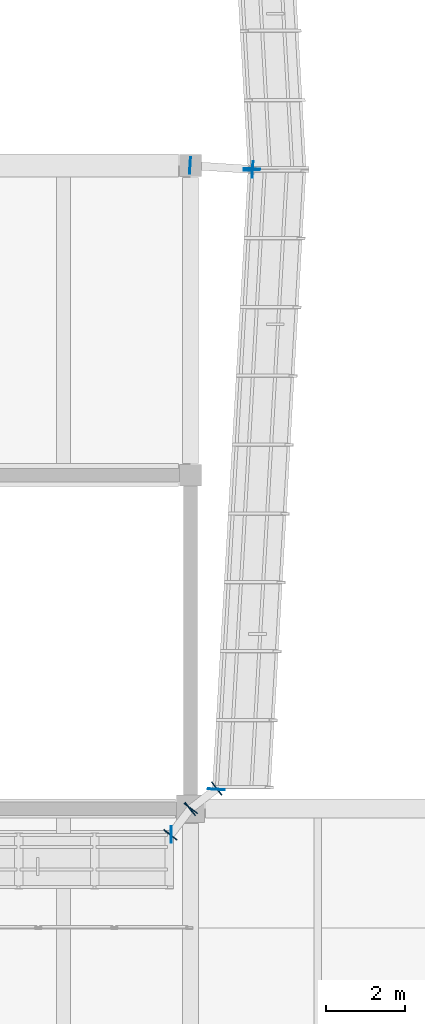
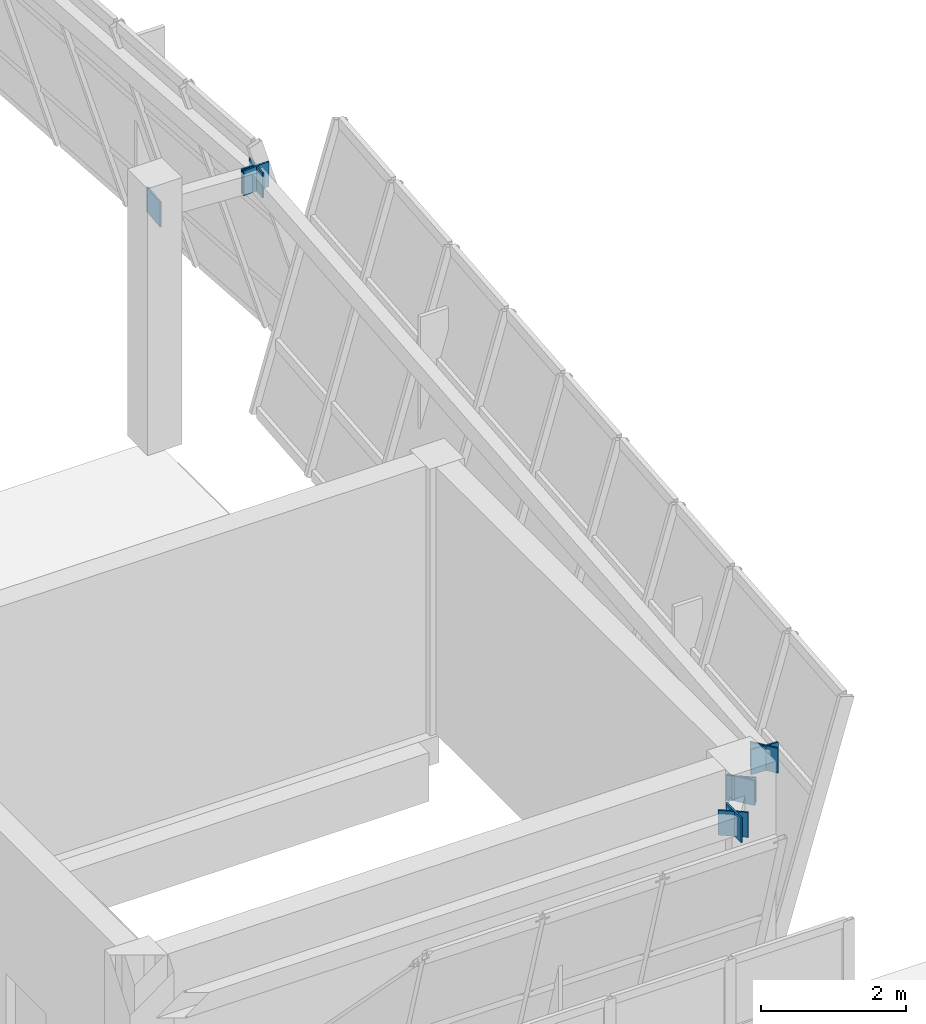
# One storey, part 49 of 67: 10 plates.
"""IFC4 building model written with IfcOpenShell, lengths in metres."""

from ifc_helpers import new_model, si_unit, direction, frame, origin, origin_2d, place, context, subcontext, project, spatial, rectangle, extrude, material, layer, layer_set, type_object, element, save


model = new_model("IFC4")

# Units and contexts
model_context = context("Model", 3, precision=1e-05, world=origin(), true_north=direction((0.0, 1.0)))
body_context = subcontext(model_context, "Body", "Model", "MODEL_VIEW")
ifc_project = project(units=[si_unit("LENGTHUNIT", "METRE"), si_unit("AREAUNIT", "SQUARE_METRE"), si_unit("VOLUMEUNIT", "CUBIC_METRE"), si_unit("PLANEANGLEUNIT", "RADIAN"), si_unit("MASSUNIT", "GRAM", prefix="KILO")], contexts=[model_context])

# Site, building, storey
site_placement = place(None, origin())
site = spatial("IfcSite", under=ifc_project, at=site_placement, CompositionType="ELEMENT")
building_placement = place(site_placement, origin())
building = spatial("IfcBuilding", under=site, at=building_placement, Name="Pellamere Symphony Hall", CompositionType="ELEMENT")
storey_placement = place(building_placement, frame((0.0, 0.0, 19.5)))
storey = spatial("IfcBuildingStorey", under=building, at=storey_placement, Name="L04", CompositionType="ELEMENT", Elevation=19.5)

# Plates
ifc_material = material(Name="Steel CSA G40.21 350W", Category="steel")
ifc_layer = layer(ifc_material, 0.02490234375, Name="Steel CSA G40.21 350W")
ifc_layer_set = layer_set([ifc_layer], Name="Steel CSA G40.21 350W")
plate_type = type_object("IfcPlateType", Name="Steel Connection Plate KP-01 420x420x25", PredefinedType="SHEET", material=ifc_layer_set)
for number, where, z_axis, x_axis, name in (
    (1, (118.31201171875, 29.35009765625, 3.72998046875), (0.0, 0.0, 1.0), (1.0, 0.0, 0.0), "Crystal Spandrel End Cap Plate CW-CR05-2 (L04)"),
    (2, (118.807373046875, 30.009521484375, 3.72998046875), (0.0, 0.0, 1.0), (-0.609730238396, -0.792609005996, 0.0), "Outrigger End Cap Plate 011.1 (L04)"),
    (3, (118.292724609375, 29.340576171875, 3.72998046875), (0.0, 0.0, 1.0), (-0.609730238396, -0.792609005996, 0.0), "Outrigger End Cap Plate 011.2 (L04)"),
    (4, (119.44921875, 30.488037109375, 3.72998046875), (0.0, 0.0, 1.0), (0.05756402696, 0.998341816614, 0.0), "Crystal Spandrel End Cap Plate CW-CR06-1 (L04)"),
    (5, (120.3505859375, 46.112060546875, 3.72998046875), (0.0, 0.0, 1.0), (0.05756402696, 0.998341816614, 0.0), "Crystal Spandrel End Cap Plate CW-CR06-2 (L04)"),
    (6, (118.79052734375, 29.99267578125, 3.72998046875), (0.0, 0.0, 1.0), (0.792609005996, 0.609730238396, 0.0), "Outrigger End Cap Plate 018.1 (L04)"),
    (7, (119.45947265625, 30.50732421875, 3.72998046875), (0.0, 0.0, 1.0), (0.792609005996, 0.609730238396, 0.0), "Outrigger End Cap Plate 018.2 (L04)"),
    (8, (118.7880859375, 46.20068359375, 3.72998046875), (0.0, 0.0, 1.0), (0.997926866086, -0.064358138139, 0.0), "Outrigger End Cap Plate 019.1 (L04)"),
    (9, (120.362060546875, 46.09912109375, 3.72998046875), (0.0, 0.0, 1.0), (0.997926866086, -0.064358138139, 0.0), "Outrigger End Cap Plate 019.2 (L04)"),
    (10, (120.3505859375, 46.087890625, 3.72998046875), (0.0, 0.0, 1.0), (-0.057215536424, 0.998361849427, 0.0), "Crystal Spandrel End Cap Plate CW-CR07-1 (L04)"),
):
    element("IfcPlate", number, at=place(storey_placement, frame(where, z_axis=z_axis, x_axis=x_axis)), inside=storey, type_object=plate_type, Name=name, PredefinedType="SHEET", context=body_context, shape_type="SweptSolid", body=[
        extrude(rectangle(XDim=0.02490234375, YDim=0.419921875, at=origin_2d()), origin(), (0.0, 0.0, 1.0), 0.419921875),
    ])

save(model, "model.ifc")
